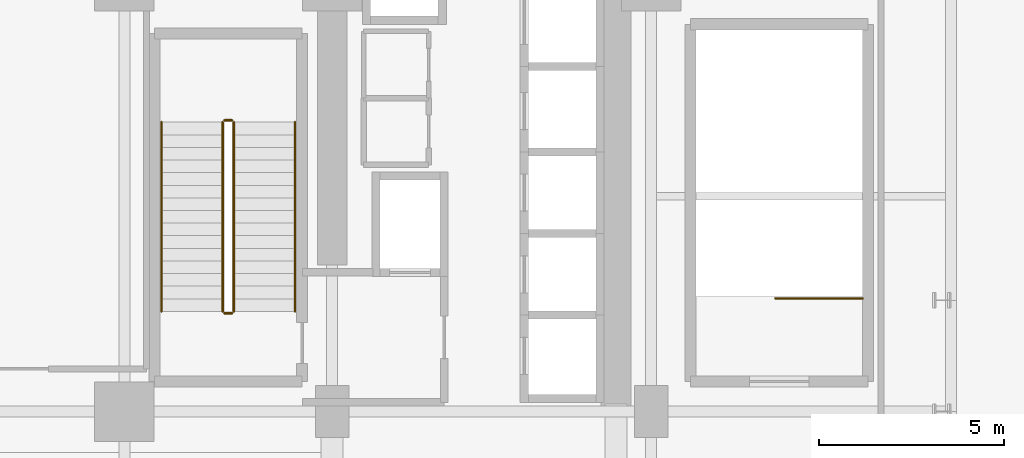
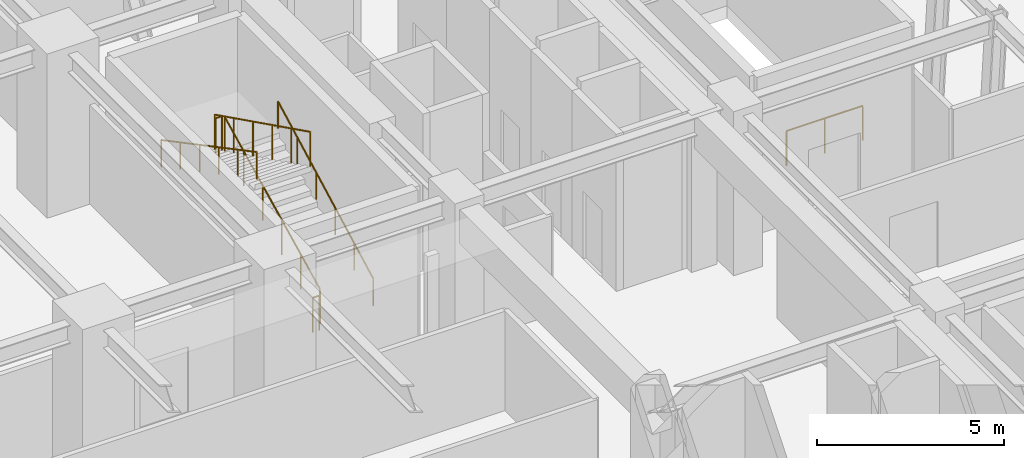
# One storey, part 28 of 29: 7 railings.
"""IFC4 building model written with IfcOpenShell, lengths in metres."""

from ifc_helpers import new_model, si_unit, direction, frame, origin, origin_2d, place, context, subcontext, project, spatial, circle, extrude, material, type_object, element, save


model = new_model("IFC4")

# Units and contexts
model_context = context("Model", 3, precision=1e-05, world=origin(), true_north=direction((0.0, 1.0)))
body_context = subcontext(model_context, "Body", "Model", "MODEL_VIEW")
ifc_project = project(units=[si_unit("LENGTHUNIT", "METRE"), si_unit("AREAUNIT", "SQUARE_METRE"), si_unit("VOLUMEUNIT", "CUBIC_METRE"), si_unit("PLANEANGLEUNIT", "RADIAN"), si_unit("MASSUNIT", "GRAM", prefix="KILO")], contexts=[model_context])

# Site, building, storey
site_placement = place(None, origin())
site = spatial("IfcSite", under=ifc_project, at=site_placement, CompositionType="ELEMENT")
building_placement = place(site_placement, origin())
building = spatial("IfcBuilding", under=site, at=building_placement, Name="Nahalor Promenade Grand Hotel", CompositionType="ELEMENT")
storey_placement = place(building_placement, frame((0.0, 0.0, 27.0)))
storey = spatial("IfcBuildingStorey", under=building, at=storey_placement, Name="L05", CompositionType="ELEMENT", Elevation=27.0)

# Railings
ifc_material = material(Name="Steel S355JR", Category="steel")
railing_type_1 = type_object("IfcRailingType", Name="Steel Stair Guardrail 1150 mm", PredefinedType="GUARDRAIL", material=ifc_material)
railing_1_placement = place(storey_placement, frame((5.75, 8.10009765625, 0.168701171875)))
element("IfcRailing", 1, at=railing_1_placement, inside=storey, type_object=railing_type_1, Name="L05 ST1 stair guard 1", PredefinedType="GUARDRAIL", context=body_context, shape_type="SweptSolid", body=[
    extrude(circle(Radius=0.024048, at=origin_2d()), frame((0.0, 0.0, 1.1259765625), z_axis=(0.0, 0.895735491292, 0.444587370086), x_axis=(-1.0, 0.0, 0.0)), (0.0, 0.0, 1.0), 5.693603515625),
    extrude(circle(Radius=0.020996, at=origin_2d()), origin(), (0.0, 0.0, 1.0), 1.099853515625),
    extrude(circle(Radius=0.020996, at=origin_2d()), frame((0.0, 1.02001953125, 0.50634765625)), (0.0, 0.0, 1.0), 1.099853515625),
    extrude(circle(Radius=0.020996, at=origin_2d()), frame((0.0, 2.0400390625, 1.012451171875)), (0.0, 0.0, 1.0), 1.099853515625),
    extrude(circle(Radius=0.020996, at=origin_2d()), frame((0.0, 3.059814453125, 1.518798828125)), (0.0, 0.0, 1.0), 1.099853515625),
    extrude(circle(Radius=0.020996, at=origin_2d()), frame((0.0, 4.079833984375, 2.02490234375)), (0.0, 0.0, 1.0), 1.099853515625),
    extrude(circle(Radius=0.020996, at=origin_2d()), frame((0.0, 5.099853515625, 2.53125)), (0.0, 0.0, 1.0), 1.099853515625),
])
railing_2_placement = place(storey_placement, frame((5.699951171875, 13.25, 2.699951171875)))
element("IfcRailing", 2, at=railing_2_placement, inside=storey, type_object=railing_type_1, Name="L05 ST1 stair guard 2", PredefinedType="GUARDRAIL", context=body_context, shape_type="SweptSolid", body=[
    extrude(circle(Radius=0.024048, at=origin_2d()), frame((0.0, 0.0, 1.1259765625), z_axis=(-1.0, 0.0, 0.0), x_axis=(0.0, -1.0, 0.0)), (0.0, 0.0, 1.0), 0.199951171875),
    extrude(circle(Radius=0.020996, at=origin_2d()), origin(), (0.0, 0.0, 1.0), 1.099853515625),
    extrude(circle(Radius=0.020996, at=origin_2d()), frame((-0.199951171875, 0.0, 0.0)), (0.0, 0.0, 1.0), 1.099853515625),
])
railing_3_placement = place(storey_placement, frame((5.449951171875, 13.199951171875, 2.86865234375)))
element("IfcRailing", 3, at=railing_3_placement, inside=storey, type_object=railing_type_1, Name="L05 ST1 stair guard 3", PredefinedType="GUARDRAIL", context=body_context, shape_type="SweptSolid", body=[
    extrude(circle(Radius=0.024048, at=origin_2d()), frame((0.0, 0.0, 1.1259765625), z_axis=(0.0, -0.895735491292, 0.444587370086), x_axis=(1.0, 0.0, 0.0)), (0.0, 0.0, 1.0), 5.693603515625),
    extrude(circle(Radius=0.020996, at=origin_2d()), origin(), (0.0, 0.0, 1.0), 1.099853515625),
    extrude(circle(Radius=0.020996, at=origin_2d()), frame((0.0, -1.02001953125, 0.50634765625)), (0.0, 0.0, 1.0), 1.099853515625),
    extrude(circle(Radius=0.020996, at=origin_2d()), frame((0.0, -2.0400390625, 1.012451171875)), (0.0, 0.0, 1.0), 1.099853515625),
    extrude(circle(Radius=0.020996, at=origin_2d()), frame((0.0, -3.059814453125, 1.518798828125)), (0.0, 0.0, 1.0), 1.099853515625),
    extrude(circle(Radius=0.020996, at=origin_2d()), frame((0.0, -4.079833984375, 2.02490234375)), (0.0, 0.0, 1.0), 1.099853515625),
    extrude(circle(Radius=0.020996, at=origin_2d()), frame((0.0, -5.099853515625, 2.53125)), (0.0, 0.0, 1.0), 1.099853515625),
])
railing_4_placement = place(storey_placement, frame((5.699951171875, 8.050048828125, 0.0)))
element("IfcRailing", 4, at=railing_4_placement, inside=storey, type_object=railing_type_1, Name="L05 ST1 stair guard 4", PredefinedType="GUARDRAIL", context=body_context, shape_type="SweptSolid", body=[
    extrude(circle(Radius=0.024048, at=origin_2d()), frame((0.0, 0.0, 1.1259765625), z_axis=(-1.0, 0.0, 0.0), x_axis=(0.0, -1.0, 0.0)), (0.0, 0.0, 1.0), 0.199951171875),
    extrude(circle(Radius=0.020996, at=origin_2d()), origin(), (0.0, 0.0, 1.0), 1.099853515625),
    extrude(circle(Radius=0.020996, at=origin_2d()), frame((-0.199951171875, 0.0, 0.0)), (0.0, 0.0, 1.0), 1.099853515625),
])
railing_5_placement = place(storey_placement, frame((22.699951171875, 8.449951171875, 0.0)))
element("IfcRailing", 5, at=railing_5_placement, inside=storey, type_object=railing_type_1, Name="L05 ST4 top well guard 1", PredefinedType="GUARDRAIL", context=body_context, shape_type="SweptSolid", body=[
    extrude(circle(Radius=0.024048, at=origin_2d()), frame((0.0, 0.0, 1.1259765625), z_axis=(-1.0, 0.0, 0.0), x_axis=(0.0, -1.0, 0.0)), (0.0, 0.0, 1.0), 2.349853515625),
    extrude(circle(Radius=0.020996, at=origin_2d()), origin(), (0.0, 0.0, 1.0), 1.099853515625),
    extrude(circle(Radius=0.020996, at=origin_2d()), frame((-1.1748046875, 0.0, 0.0)), (0.0, 0.0, 1.0), 1.099853515625),
    extrude(circle(Radius=0.020996, at=origin_2d()), frame((-2.349853515625, 0.0, 0.0)), (0.0, 0.0, 1.0), 1.099853515625),
])
railing_type_2 = type_object("IfcRailingType", Name="Steel Stair Handrail 900 mm", PredefinedType="HANDRAIL", material=ifc_material)
railing_6_placement = place(storey_placement, frame((7.39990234375, 8.10009765625, 0.168701171875)))
element("IfcRailing", 6, at=railing_6_placement, inside=storey, type_object=railing_type_2, Name="L05 ST1 stair handrail 1", PredefinedType="HANDRAIL", context=body_context, shape_type="SweptSolid", body=[
    extrude(circle(Radius=0.024048, at=origin_2d()), frame((0.0, 0.0, 0.8759765625), z_axis=(0.0, 0.883785858079, 0.467891608238), x_axis=(-1.0, 0.0, 0.0)), (0.0, 0.0, 1.0), 5.7705078125),
    extrude(circle(Radius=0.020996, at=origin_2d()), origin(), (0.0, 0.0, 1.0), 0.849853515625),
    extrude(circle(Radius=0.020996, at=origin_2d()), frame((0.0, 1.02001953125, 0.5400390625)), (0.0, 0.0, 1.0), 0.849853515625),
    extrude(circle(Radius=0.020996, at=origin_2d()), frame((0.0, 2.0400390625, 1.080078125)), (0.0, 0.0, 1.0), 0.849853515625),
    extrude(circle(Radius=0.020996, at=origin_2d()), frame((0.0, 3.059814453125, 1.619873046875)), (0.0, 0.0, 1.0), 0.849853515625),
    extrude(circle(Radius=0.020996, at=origin_2d()), frame((0.0, 4.079833984375, 2.159912109375)), (0.0, 0.0, 1.0), 0.849853515625),
    extrude(circle(Radius=0.020996, at=origin_2d()), frame((0.0, 5.099853515625, 2.699951171875)), (0.0, 0.0, 1.0), 0.849853515625),
])
railing_7_placement = place(storey_placement, frame((3.800048828125, 13.199951171875, 2.86865234375)))
element("IfcRailing", 7, at=railing_7_placement, inside=storey, type_object=railing_type_2, Name="L05 ST1 stair handrail 2", PredefinedType="HANDRAIL", context=body_context, shape_type="SweptSolid", body=[
    extrude(circle(Radius=0.024048, at=origin_2d()), frame((0.0, 0.0, 0.8759765625), z_axis=(0.0, -0.883768362495, 0.467924653607), x_axis=(1.0, 0.0, 0.0)), (0.0, 0.0, 1.0), 5.7705078125),
    extrude(circle(Radius=0.020996, at=origin_2d()), origin(), (0.0, 0.0, 1.0), 0.849853515625),
    extrude(circle(Radius=0.020996, at=origin_2d()), frame((0.0, -1.02001953125, 0.5400390625)), (0.0, 0.0, 1.0), 0.849853515625),
    extrude(circle(Radius=0.020996, at=origin_2d()), frame((0.0, -2.0400390625, 1.080078125)), (0.0, 0.0, 1.0), 0.849853515625),
    extrude(circle(Radius=0.020996, at=origin_2d()), frame((0.0, -3.059814453125, 1.6201171875)), (0.0, 0.0, 1.0), 0.849853515625),
    extrude(circle(Radius=0.020996, at=origin_2d()), frame((0.0, -4.079833984375, 2.16015625)), (0.0, 0.0, 1.0), 0.849853515625),
    extrude(circle(Radius=0.020996, at=origin_2d()), frame((0.0, -5.099853515625, 2.7001953125)), (0.0, 0.0, 1.0), 0.849853515625),
])

save(model, "model.ifc")
